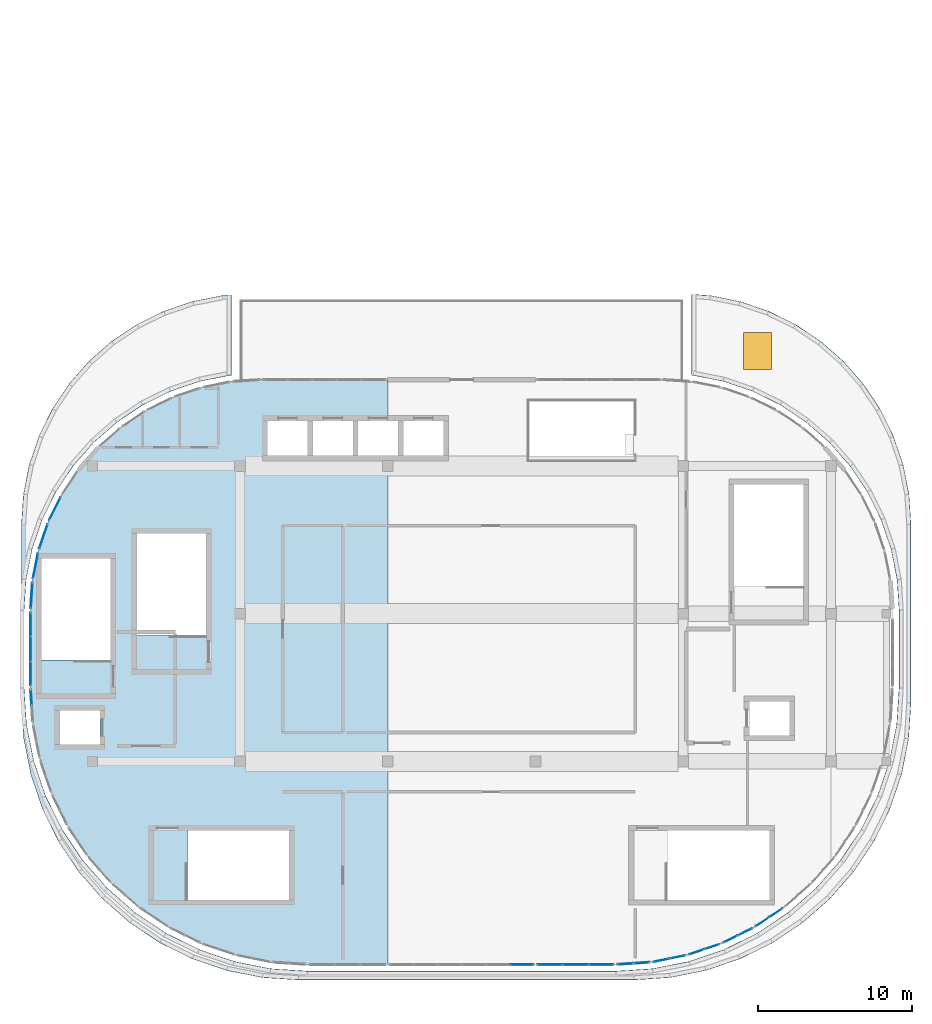
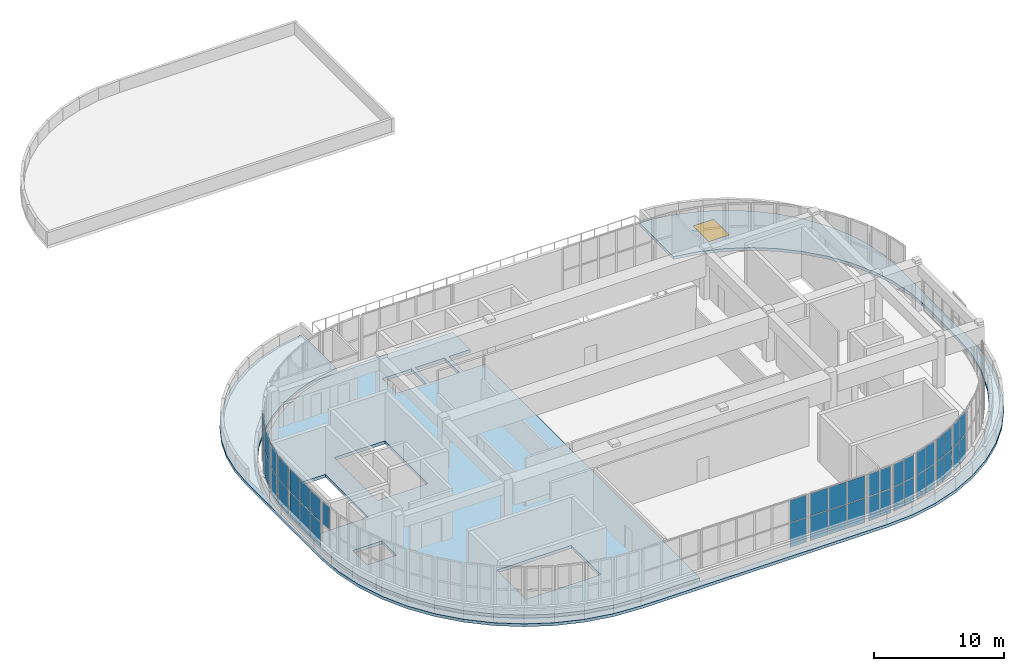
# One storey, part 14 of 23: 43 plates, 2 slabs, 1 window, 1 opening, 13 elements without a shape of their own.
"""IFC4 building model written with IfcOpenShell, lengths in metres."""

import ifcopenshell
import ifcopenshell.guid

model = None  # the IFC model being written
_history = None  # IfcOwnerHistory: only IFC2X3 demands one
_inside = {}  # id of a spatial element -> (the spatial element, [elements in it])
_under = {}  # id of a project, library or spatial element -> (it, [spatial elements below it])
_declared = {}  # id of a project -> (the project, [libraries it declares])
_typed = {}  # id of a type object -> (the type object, [elements of that type])
_made_of = {}  # id of a material, layer set ... -> (it, [elements and type objects made of it])


def new_model(schema):
    """Start an empty IFC model of exactly this schema.

    Asked for "IFC4X3", IfcOpenShell would pick the latest addendum, in which some entities
    have other attributes; the version numbers below select the first issue.
    IFC2X3 requires an IfcOwnerHistory on every rooted entity: one is made here for all.
    """
    global model, _history
    if schema == "IFC4X3":
        model = ifcopenshell.file(schema_version=(4, 3, 0, 0))
    else:
        model = ifcopenshell.file(schema=schema)
    _inside.clear()
    _under.clear()
    _declared.clear()
    _typed.clear()
    _made_of.clear()
    _history = None
    if model.schema == "IFC2X3":
        org = make("IfcOrganization", Name="unknown")
        user = make(
            "IfcPersonAndOrganization",
            ThePerson=make("IfcPerson", FamilyName="unknown"),
            TheOrganization=org,
        )
        app = make(
            "IfcApplication",
            ApplicationDeveloper=org,
            Version="unknown",
            ApplicationFullName="unknown",
            ApplicationIdentifier="unknown",
        )
        _history = make(
            "IfcOwnerHistory",
            OwningUser=user,
            OwningApplication=app,
            ChangeAction="ADDED",
            CreationDate=0,
        )
    return model


def make(cls, **values):
    """One entity of the class cls with the attributes given. An attribute that is None is left unset."""
    return model.create_entity(
        cls, **{name: value for name, value in values.items() if value is not None}
    )


def rooted(cls, **values):
    """An entity with a GlobalId (a new one), such as an element, a storey or a relation."""
    return make(cls, GlobalId=ifcopenshell.guid.new(), OwnerHistory=_history, **values)


def si_unit(unit_type, name, prefix=None):
    """IfcSIUnit, for example si_unit("LENGTHUNIT", "METRE", prefix="MILLI")."""
    return make("IfcSIUnit", UnitType=unit_type, Prefix=prefix, Name=name)


def assignment(units):
    """IfcUnitAssignment: the units of a project."""
    return None if units is None else make("IfcUnitAssignment", Units=units)


def point(xyz):
    """IfcCartesianPoint."""
    return None if xyz is None else make("IfcCartesianPoint", Coordinates=xyz)


def direction(xyz):
    """IfcDirection."""
    return None if xyz is None else make("IfcDirection", DirectionRatios=xyz)


def frame(location, z_axis=None, x_axis=None):
    """IfcAxis2Placement3D, a coordinate frame: its origin and axes. An axis left out is left unset."""
    return make(
        "IfcAxis2Placement3D",
        Location=point(location),
        Axis=direction(z_axis),
        RefDirection=direction(x_axis),
    )


def frame_2d(location, x_axis=None):
    """IfcAxis2Placement2D, a coordinate frame in the plane: its origin and x axis."""
    return make(
        "IfcAxis2Placement2D", Location=point(location), RefDirection=direction(x_axis)
    )


def origin():
    """The frame at (0, 0, 0) with its axes left unset."""
    return frame((0.0, 0.0, 0.0))


def origin_2d():
    """The frame at (0, 0) in the plane with its x axis left unset."""
    return frame_2d((0.0, 0.0))


def place(relative_to, where):
    """IfcLocalPlacement: puts the frame where relative to a parent placement (None: the world)."""
    return make(
        "IfcLocalPlacement", PlacementRelTo=relative_to, RelativePlacement=where
    )


def context(
    kind, dimensions, precision=None, world=None, true_north=None, identifier=None
):
    """IfcGeometricRepresentationContext, for example the 3D "Model" context."""
    return make(
        "IfcGeometricRepresentationContext",
        ContextIdentifier=identifier,
        ContextType=kind,
        CoordinateSpaceDimension=dimensions,
        Precision=precision,
        WorldCoordinateSystem=world,
        TrueNorth=true_north,
    )


def subcontext(parent, identifier, kind, view, scale=None):
    """IfcGeometricRepresentationSubContext, for example "Body" below "Model"."""
    return make(
        "IfcGeometricRepresentationSubContext",
        ContextIdentifier=identifier,
        ContextType=kind,
        ParentContext=parent,
        TargetScale=scale,
        TargetView=view,
    )


def project(units=None, contexts=None):
    """IfcProject with its units and contexts."""
    return rooted(
        "IfcProject",
        Name="project",
        RepresentationContexts=contexts,
        UnitsInContext=assignment(units),
    )


def spatial(cls, under=None, at=None, **own):
    """A site, building, storey or space (cls), placed at a placement, below another one or the project."""
    s = rooted(cls, ObjectPlacement=at, **own)
    if under is not None:
        _under.setdefault(under.id(), (under, []))[1].append(s)
    return s


def polyline(points):
    """IfcPolyline through the points."""
    return make("IfcPolyline", Points=[point(p) for p in points])


def profile(cls, at=None, kind="AREA", **sizes):
    """A parametric profile (cls). Its sizes go by their IFC names, for example OverallWidth=200.0."""
    return make(cls, ProfileType=kind, Position=at, **sizes)


def rectangle(**sizes):
    """IfcRectangleProfileDef."""
    return profile("IfcRectangleProfileDef", **sizes)


def outline(outer, holes=None, kind="AREA"):
    """IfcArbitraryClosedProfileDef: a profile drawn as a closed curve; with holes, ...WithVoids."""
    if holes is None:
        return make("IfcArbitraryClosedProfileDef", ProfileType=kind, OuterCurve=outer)
    return make(
        "IfcArbitraryProfileDefWithVoids",
        ProfileType=kind,
        OuterCurve=outer,
        InnerCurves=holes,
    )


def extrude(swept, where, along, depth):
    """IfcExtrudedAreaSolid: the profile swept, set in the frame where, extruded along a direction by depth."""
    return make(
        "IfcExtrudedAreaSolid",
        SweptArea=swept,
        Position=where,
        ExtrudedDirection=direction(along),
        Depth=depth,
    )


def shape(context_of_items, identifier, shape_type, items):
    """IfcShapeRepresentation: the items that make up one representation, for example the "Body"."""
    return make(
        "IfcShapeRepresentation",
        ContextOfItems=context_of_items,
        RepresentationIdentifier=identifier,
        RepresentationType=shape_type,
        Items=items,
    )


def material(Name=None, Category=None):
    """IfcMaterial."""
    return make("IfcMaterial", Name=Name, Category=Category)


def layer(
    of_material, thickness, ventilated=None, Name=None, Category=None, Priority=None
):
    """IfcMaterialLayer: one layer of a wall or slab, of a material (None: an air gap)."""
    return make(
        "IfcMaterialLayer",
        Material=of_material,
        LayerThickness=thickness,
        IsVentilated=ventilated,
        Name=Name,
        Category=Category,
        Priority=Priority,
    )


def layer_set(layers, Name=None):
    """IfcMaterialLayerSet."""
    return make("IfcMaterialLayerSet", MaterialLayers=layers, LayerSetName=Name)


def made_of(thing, what):
    """Note that an element or type object is made of a material, layer set ...; save() writes the relation."""
    if what is not None:
        _made_of.setdefault(what.id(), (what, []))[1].append(thing)
    return thing


def type_object(cls, material=None, **own):
    """A type object (cls), such as IfcWallType, which elements share."""
    return made_of(rooted(cls, **own), material)


def element(
    cls,
    number,
    at=None,
    inside=None,
    cuts=None,
    type_object=None,
    material=None,
    context=None,
    identifier="Body",
    shape_type=None,
    held_by="IfcProductDefinitionShape",
    body=None,
    shapes=None,
    **own,
):
    """One element of the class cls, such as IfcWall. Its Tag is "e" and its number.

    at: its placement. inside: the storey or other place that contains it. cuts: it is an
    opening in that element (IfcRelVoidsElement). A single representation is given by context,
    identifier, shape_type and body (its items); several are given by shapes. held_by: the class
    of the entity that holds the representations. save() writes the other relations.
    """
    e = rooted(cls, Tag="e%d" % number, ObjectPlacement=at, **own)
    if body is not None:
        shapes = [shape(context, identifier, shape_type, body)]
    if shapes is not None:
        e.Representation = make(held_by, Representations=shapes)
    if inside is not None:
        _inside.setdefault(inside.id(), (inside, []))[1].append(e)
    if cuts is not None:
        rooted(
            "IfcRelVoidsElement", RelatingBuildingElement=cuts, RelatedOpeningElement=e
        )
    if type_object is not None:
        _typed.setdefault(type_object.id(), (type_object, []))[1].append(e)
    return made_of(e, material)


def fill(opening, filler):
    """IfcRelFillsElement: the door or window that sits in an opening."""
    return rooted(
        "IfcRelFillsElement",
        RelatingOpeningElement=opening,
        RelatedBuildingElement=filler,
    )


def aggregate(whole, parts):
    """IfcRelAggregates: a whole, such as a stair, and the parts it consists of."""
    return rooted("IfcRelAggregates", RelatingObject=whole, RelatedObjects=parts)


def save(model, path):
    """Write the relations noted so far, then the file.

    IfcRelAggregates (storeys below a building ...), IfcRelContainedInSpatialStructure (elements
    in a storey), IfcRelDefinesByType, IfcRelAssociatesMaterial and IfcRelDeclares: one each for
    every whole, place, type object, material and project.
    """
    for whole, parts in _under.values():
        aggregate(whole, parts)
    for where, things in _inside.values():
        rooted(
            "IfcRelContainedInSpatialStructure",
            RelatedElements=things,
            RelatingStructure=where,
        )
    for kind, things in _typed.values():
        rooted("IfcRelDefinesByType", RelatedObjects=things, RelatingType=kind)
    for what, things in _made_of.values():
        rooted("IfcRelAssociatesMaterial", RelatedObjects=things, RelatingMaterial=what)
    for by, libraries in _declared.values():
        rooted("IfcRelDeclares", RelatingContext=by, RelatedDefinitions=libraries)
    model.write(path)


model = new_model("IFC4")

# Units and contexts
model_context = context("Model", 3, precision=1e-05, world=origin(), true_north=direction((0.0, 1.0)))
body_context = subcontext(model_context, "Body", "Model", "MODEL_VIEW")
ifc_project = project(units=[si_unit("LENGTHUNIT", "METRE"), si_unit("AREAUNIT", "SQUARE_METRE"), si_unit("VOLUMEUNIT", "CUBIC_METRE"), si_unit("PLANEANGLEUNIT", "RADIAN"), si_unit("MASSUNIT", "GRAM", prefix="KILO")], contexts=[model_context])

# Site, building, storey
site_placement = place(None, origin())
site = spatial("IfcSite", under=ifc_project, at=site_placement, CompositionType="ELEMENT")
building_placement = place(site_placement, origin())
building = spatial("IfcBuilding", under=site, at=building_placement, Name="Cendralis Terraced Arcade", CompositionType="ELEMENT")
storey_placement = place(building_placement, frame((0.0, 0.0, 29.39990234375)))
storey = spatial("IfcBuildingStorey", under=building, at=storey_placement, Name="L06", CompositionType="ELEMENT", Elevation=29.39990234375)

# Curtain wall, plates
ifc_material_1 = material(Name="Anodised aluminium EN AW-6063 T6", Category="aluminium")
ifc_layer_1 = layer(ifc_material_1, 0.179931640625, Name="CW-UNIT-A")
ifc_layer_set_1 = layer_set([ifc_layer_1], Name="Anodised aluminium EN AW-6063 T6")
curtain_wall_type_1 = type_object("IfcCurtainWallType", Name="CW-UNIT-A", PredefinedType="USERDEFINED", material=ifc_layer_set_1)
curtain_wall_1_placement = place(storey_placement, origin())
curtain_wall_1 = element("IfcCurtainWall", 1, at=curtain_wall_1_placement, inside=storey, type_object=curtain_wall_type_1, Name="Exterior Unitised Facade CW-L06-0446", ObjectType="UNITISED FACADE", PredefinedType="USERDEFINED")
ifc_material_2 = material(Name="Tempered solar control laminated glass", Category="glass")
ifc_layer_2 = layer(ifc_material_2, 0.035888671875, Name="CW-UNIT-A-PNL")
ifc_layer_set_2 = layer_set([ifc_layer_2], Name="Tempered solar control laminated glass")
plate_type_1 = type_object("IfcPlateType", Name="CW-UNIT-A-PNL", PredefinedType="CURTAIN_PANEL", material=ifc_layer_set_2)
plate_1_placement = place(storey_placement, frame((5.6640625, 29.97900390625, 0.06494140625), z_axis=(0.0, 0.0, 1.0), x_axis=(0.065371873798, 0.997860971336, 0.0)))
plate_1 = element("IfcPlate", 2, at=plate_1_placement, type_object=plate_type_1, Name="CW-U1 panel 1.1", PredefinedType="CURTAIN_PANEL", context=body_context, shape_type="SweptSolid", body=[
    extrude(rectangle(XDim=1.652099609375, YDim=0.035888671875, at=origin_2d()), origin(), (0.0, 0.0, 1.0), 2.255615234375),
])
plate_2_placement = place(storey_placement, frame((5.6640625, 29.97900390625, 2.3857421875), z_axis=(0.0, 0.0, 1.0), x_axis=(0.065371873798, 0.997860971336, 0.0)))
plate_2 = element("IfcPlate", 3, at=plate_2_placement, type_object=plate_type_1, Name="CW-U1 panel 1.2", PredefinedType="CURTAIN_PANEL", context=body_context, shape_type="SweptSolid", body=[
    extrude(rectangle(XDim=1.652099609375, YDim=0.035888671875, at=origin_2d()), origin(), (0.0, 0.0, 1.0), 2.074462890625),
])
aggregate(curtain_wall_1, [plate_1, plate_2])

curtain_wall_2_placement = place(storey_placement, origin())
curtain_wall_2 = element("IfcCurtainWall", 4, at=curtain_wall_2_placement, inside=storey, type_object=curtain_wall_type_1, Name="Exterior Unitised Facade CW-L06-0447", ObjectType="UNITISED FACADE", PredefinedType="USERDEFINED")
plate_3_placement = place(storey_placement, frame((5.919677734375, 31.920166015625, 0.06494140625), z_axis=(0.0, 0.0, 1.0), x_axis=(0.195058454434, 0.980791618721, 0.0)))
plate_3 = element("IfcPlate", 5, at=plate_3_placement, type_object=plate_type_1, Name="CW-U1 panel 1.1", PredefinedType="CURTAIN_PANEL", context=body_context, shape_type="SweptSolid", body=[
    extrude(rectangle(XDim=1.652099609375, YDim=0.035888671875, at=origin_2d()), origin(), (0.0, 0.0, 1.0), 2.255615234375),
])
plate_4_placement = place(storey_placement, frame((5.919677734375, 31.920166015625, 2.3857421875), z_axis=(0.0, 0.0, 1.0), x_axis=(0.195058454434, 0.980791618721, 0.0)))
plate_4 = element("IfcPlate", 6, at=plate_4_placement, type_object=plate_type_1, Name="CW-U1 panel 1.2", PredefinedType="CURTAIN_PANEL", context=body_context, shape_type="SweptSolid", body=[
    extrude(rectangle(XDim=1.652099609375, YDim=0.035888671875, at=origin_2d()), origin(), (0.0, 0.0, 1.0), 2.074462890625),
])
aggregate(curtain_wall_2, [plate_3, plate_4])

curtain_wall_3_placement = place(storey_placement, origin())
curtain_wall_3 = element("IfcCurtainWall", 7, at=curtain_wall_3_placement, inside=storey, type_object=curtain_wall_type_1, Name="Exterior Unitised Facade CW-L06-0448", ObjectType="UNITISED FACADE", PredefinedType="USERDEFINED")
plate_5_placement = place(storey_placement, frame((6.426513671875, 33.811279296875, 0.06494140625), z_axis=(0.0, 0.0, 1.0), x_axis=(0.321458077458, 0.946923811316, 0.0)))
plate_5 = element("IfcPlate", 8, at=plate_5_placement, type_object=plate_type_1, Name="CW-U1 panel 1.1", PredefinedType="CURTAIN_PANEL", context=body_context, shape_type="SweptSolid", body=[
    extrude(rectangle(XDim=1.652099609375, YDim=0.035888671875, at=origin_2d()), origin(), (0.0, 0.0, 1.0), 2.255615234375),
])
plate_6_placement = place(storey_placement, frame((6.426513671875, 33.811279296875, 2.3857421875), z_axis=(0.0, 0.0, 1.0), x_axis=(0.321458077458, 0.946923811316, 0.0)))
plate_6 = element("IfcPlate", 9, at=plate_6_placement, type_object=plate_type_1, Name="CW-U1 panel 1.2", PredefinedType="CURTAIN_PANEL", context=body_context, shape_type="SweptSolid", body=[
    extrude(rectangle(XDim=1.652099609375, YDim=0.035888671875, at=origin_2d()), origin(), (0.0, 0.0, 1.0), 2.074462890625),
])
aggregate(curtain_wall_3, [plate_5, plate_6])

curtain_wall_4_placement = place(storey_placement, origin())
curtain_wall_4 = element("IfcCurtainWall", 10, at=curtain_wall_4_placement, inside=storey, type_object=curtain_wall_type_1, Name="Exterior Unitised Facade CW-L06-0449", ObjectType="UNITISED FACADE", PredefinedType="USERDEFINED")
plate_7_placement = place(storey_placement, frame((7.17578125, 35.6201171875, 0.06494140625), z_axis=(0.0, 0.0, 1.0), x_axis=(0.442291247495, 0.896871480419, 0.0)))
plate_7 = element("IfcPlate", 11, at=plate_7_placement, type_object=plate_type_1, Name="CW-U1 panel 1.1", PredefinedType="CURTAIN_PANEL", context=body_context, shape_type="SweptSolid", body=[
    extrude(rectangle(XDim=1.652099609375, YDim=0.035888671875, at=origin_2d()), origin(), (0.0, 0.0, 1.0), 2.255615234375),
])
plate_8_placement = place(storey_placement, frame((7.17578125, 35.6201171875, 2.3857421875), z_axis=(0.0, 0.0, 1.0), x_axis=(0.442291247495, 0.896871480419, 0.0)))
plate_8 = element("IfcPlate", 12, at=plate_8_placement, type_object=plate_type_1, Name="CW-U1 panel 1.2", PredefinedType="CURTAIN_PANEL", context=body_context, shape_type="SweptSolid", body=[
    extrude(rectangle(XDim=1.652099609375, YDim=0.035888671875, at=origin_2d()), origin(), (0.0, 0.0, 1.0), 2.074462890625),
])
aggregate(curtain_wall_4, [plate_7, plate_8])

curtain_wall_5_placement = place(storey_placement, origin())
curtain_wall_5 = element("IfcCurtainWall", 13, at=curtain_wall_5_placement, inside=storey, type_object=curtain_wall_type_1, Name="Exterior Unitised Facade CW-L06-0477", ObjectType="UNITISED FACADE", PredefinedType="USERDEFINED")
plate_9_placement = place(storey_placement, frame((54.017333984375, 9.358642578125, 0.06494140625), z_axis=(0.0, 0.0, 1.0), x_axis=(-0.831476791301, -0.555559488738, 0.0)))
plate_9 = element("IfcPlate", 14, at=plate_9_placement, type_object=plate_type_1, Name="CW-U1 panel 1.1", PredefinedType="CURTAIN_PANEL", context=body_context, shape_type="SweptSolid", body=[
    extrude(rectangle(XDim=0.98974609375, YDim=0.035888671875, at=origin_2d()), origin(), (0.0, 0.0, 1.0), 2.255615234375),
])
plate_10_placement = place(storey_placement, frame((54.017333984375, 9.358642578125, 2.3857421875), z_axis=(0.0, 0.0, 1.0), x_axis=(-0.831476791301, -0.555559488738, 0.0)))
plate_10 = element("IfcPlate", 15, at=plate_10_placement, type_object=plate_type_1, Name="CW-U1 panel 1.2", PredefinedType="CURTAIN_PANEL", context=body_context, shape_type="SweptSolid", body=[
    extrude(rectangle(XDim=0.98974609375, YDim=0.035888671875, at=origin_2d()), origin(), (0.0, 0.0, 1.0), 2.074462890625),
])
plate_11_placement = place(storey_placement, frame((53.140380859375, 8.7724609375, 0.06494140625), z_axis=(0.0, 0.0, 1.0), x_axis=(-0.831476791301, -0.555559488738, 0.0)))
plate_11 = element("IfcPlate", 16, at=plate_11_placement, type_object=plate_type_1, Name="CW-U1 panel 2.1", PredefinedType="CURTAIN_PANEL", context=body_context, shape_type="SweptSolid", body=[
    extrude(rectangle(XDim=0.98974609375, YDim=0.035888671875, at=origin_2d()), origin(), (0.0, 0.0, 1.0), 2.255615234375),
])
plate_12_placement = place(storey_placement, frame((53.140380859375, 8.7724609375, 2.3857421875), z_axis=(0.0, 0.0, 1.0), x_axis=(-0.831476791301, -0.555559488738, 0.0)))
plate_12 = element("IfcPlate", 17, at=plate_12_placement, type_object=plate_type_1, Name="CW-U1 panel 2.2", PredefinedType="CURTAIN_PANEL", context=body_context, shape_type="SweptSolid", body=[
    extrude(rectangle(XDim=0.98974609375, YDim=0.035888671875, at=origin_2d()), origin(), (0.0, 0.0, 1.0), 2.074462890625),
])
aggregate(curtain_wall_5, [plate_9, plate_10, plate_11, plate_12])

curtain_wall_6_placement = place(storey_placement, origin())
curtain_wall_6 = element("IfcCurtainWall", 18, at=curtain_wall_6_placement, inside=storey, type_object=curtain_wall_type_1, Name="Exterior Unitised Facade CW-L06-0478", ObjectType="UNITISED FACADE", PredefinedType="USERDEFINED")
plate_13_placement = place(storey_placement, frame((52.01708984375, 8.1240234375, 0.06494140625), z_axis=(0.0, 0.0, 1.0), x_axis=(-0.896887612731, -0.442258533133, 0.0)))
plate_13 = element("IfcPlate", 19, at=plate_13_placement, type_object=plate_type_1, Name="CW-U1 panel 1.1", PredefinedType="CURTAIN_PANEL", context=body_context, shape_type="SweptSolid", body=[
    extrude(rectangle(XDim=0.98974609375, YDim=0.035888671875, at=origin_2d()), origin(), (0.0, 0.0, 1.0), 2.255615234375),
])
plate_14_placement = place(storey_placement, frame((52.01708984375, 8.1240234375, 2.3857421875), z_axis=(0.0, 0.0, 1.0), x_axis=(-0.896887612731, -0.442258533133, 0.0)))
plate_14 = element("IfcPlate", 20, at=plate_14_placement, type_object=plate_type_1, Name="CW-U1 panel 1.2", PredefinedType="CURTAIN_PANEL", context=body_context, shape_type="SweptSolid", body=[
    extrude(rectangle(XDim=0.98974609375, YDim=0.035888671875, at=origin_2d()), origin(), (0.0, 0.0, 1.0), 2.074462890625),
])
plate_15_placement = place(storey_placement, frame((51.071044921875, 7.65771484375, 0.06494140625), z_axis=(0.0, 0.0, 1.0), x_axis=(-0.896887612731, -0.442258533133, 0.0)))
plate_15 = element("IfcPlate", 21, at=plate_15_placement, type_object=plate_type_1, Name="CW-U1 panel 2.1", PredefinedType="CURTAIN_PANEL", context=body_context, shape_type="SweptSolid", body=[
    extrude(rectangle(XDim=0.98974609375, YDim=0.035888671875, at=origin_2d()), origin(), (0.0, 0.0, 1.0), 2.255615234375),
])
plate_16_placement = place(storey_placement, frame((51.071044921875, 7.65771484375, 2.3857421875), z_axis=(0.0, 0.0, 1.0), x_axis=(-0.896887612731, -0.442258533133, 0.0)))
plate_16 = element("IfcPlate", 22, at=plate_16_placement, type_object=plate_type_1, Name="CW-U1 panel 2.2", PredefinedType="CURTAIN_PANEL", context=body_context, shape_type="SweptSolid", body=[
    extrude(rectangle(XDim=0.98974609375, YDim=0.035888671875, at=origin_2d()), origin(), (0.0, 0.0, 1.0), 2.074462890625),
])
aggregate(curtain_wall_6, [plate_13, plate_14, plate_15, plate_16])

curtain_wall_7_placement = place(storey_placement, origin())
curtain_wall_7 = element("IfcCurtainWall", 23, at=curtain_wall_7_placement, inside=storey, type_object=curtain_wall_type_1, Name="Exterior Unitised Facade CW-L06-0479", ObjectType="UNITISED FACADE", PredefinedType="USERDEFINED")
plate_17_placement = place(storey_placement, frame((49.872802734375, 7.161376953125, 0.06494140625), z_axis=(0.0, 0.0, 1.0), x_axis=(-0.946916721066, -0.321478962554, 0.0)))
plate_17 = element("IfcPlate", 24, at=plate_17_placement, type_object=plate_type_1, Name="CW-U1 panel 1.1", PredefinedType="CURTAIN_PANEL", context=body_context, shape_type="SweptSolid", body=[
    extrude(rectangle(XDim=0.98974609375, YDim=0.035888671875, at=origin_2d()), origin(), (0.0, 0.0, 1.0), 2.255615234375),
])
plate_18_placement = place(storey_placement, frame((49.872802734375, 7.161376953125, 2.3857421875), z_axis=(0.0, 0.0, 1.0), x_axis=(-0.946916721066, -0.321478962554, 0.0)))
plate_18 = element("IfcPlate", 25, at=plate_18_placement, type_object=plate_type_1, Name="CW-U1 panel 1.2", PredefinedType="CURTAIN_PANEL", context=body_context, shape_type="SweptSolid", body=[
    extrude(rectangle(XDim=0.98974609375, YDim=0.035888671875, at=origin_2d()), origin(), (0.0, 0.0, 1.0), 2.074462890625),
])
plate_19_placement = place(storey_placement, frame((48.8740234375, 6.822265625, 0.06494140625), z_axis=(0.0, 0.0, 1.0), x_axis=(-0.946916721066, -0.321478962554, 0.0)))
plate_19 = element("IfcPlate", 26, at=plate_19_placement, type_object=plate_type_1, Name="CW-U1 panel 2.1", PredefinedType="CURTAIN_PANEL", context=body_context, shape_type="SweptSolid", body=[
    extrude(rectangle(XDim=0.98974609375, YDim=0.035888671875, at=origin_2d()), origin(), (0.0, 0.0, 1.0), 2.255615234375),
])
plate_20_placement = place(storey_placement, frame((48.8740234375, 6.822265625, 2.3857421875), z_axis=(0.0, 0.0, 1.0), x_axis=(-0.946916721066, -0.321478962554, 0.0)))
plate_20 = element("IfcPlate", 27, at=plate_20_placement, type_object=plate_type_1, Name="CW-U1 panel 2.2", PredefinedType="CURTAIN_PANEL", context=body_context, shape_type="SweptSolid", body=[
    extrude(rectangle(XDim=0.98974609375, YDim=0.035888671875, at=origin_2d()), origin(), (0.0, 0.0, 1.0), 2.074462890625),
])
aggregate(curtain_wall_7, [plate_17, plate_18, plate_19, plate_20])

curtain_wall_8_placement = place(storey_placement, origin())
curtain_wall_8 = element("IfcCurtainWall", 28, at=curtain_wall_8_placement, inside=storey, type_object=curtain_wall_type_1, Name="Exterior Unitised Facade CW-L06-0480", ObjectType="UNITISED FACADE", PredefinedType="USERDEFINED")
plate_21_placement = place(storey_placement, frame((47.621337890625, 6.486572265625, 0.06494140625), z_axis=(0.0, 0.0, 1.0), x_axis=(-0.980794124594, -0.195045853998, 0.0)))
plate_21 = element("IfcPlate", 29, at=plate_21_placement, type_object=plate_type_1, Name="CW-U1 panel 1.1", PredefinedType="CURTAIN_PANEL", context=body_context, shape_type="SweptSolid", body=[
    extrude(rectangle(XDim=0.98974609375, YDim=0.035888671875, at=origin_2d()), origin(), (0.0, 0.0, 1.0), 2.255615234375),
])
plate_22_placement = place(storey_placement, frame((47.621337890625, 6.486572265625, 2.3857421875), z_axis=(0.0, 0.0, 1.0), x_axis=(-0.980794124594, -0.195045853998, 0.0)))
plate_22 = element("IfcPlate", 30, at=plate_22_placement, type_object=plate_type_1, Name="CW-U1 panel 1.2", PredefinedType="CURTAIN_PANEL", context=body_context, shape_type="SweptSolid", body=[
    extrude(rectangle(XDim=0.98974609375, YDim=0.035888671875, at=origin_2d()), origin(), (0.0, 0.0, 1.0), 2.074462890625),
])
plate_23_placement = place(storey_placement, frame((46.5869140625, 6.28076171875, 0.06494140625), z_axis=(0.0, 0.0, 1.0), x_axis=(-0.980794124594, -0.195045853998, 0.0)))
plate_23 = element("IfcPlate", 31, at=plate_23_placement, type_object=plate_type_1, Name="CW-U1 panel 2.1", PredefinedType="CURTAIN_PANEL", context=body_context, shape_type="SweptSolid", body=[
    extrude(rectangle(XDim=0.98974609375, YDim=0.035888671875, at=origin_2d()), origin(), (0.0, 0.0, 1.0), 2.255615234375),
])
plate_24_placement = place(storey_placement, frame((46.5869140625, 6.28076171875, 2.3857421875), z_axis=(0.0, 0.0, 1.0), x_axis=(-0.980794124594, -0.195045853998, 0.0)))
plate_24 = element("IfcPlate", 32, at=plate_24_placement, type_object=plate_type_1, Name="CW-U1 panel 2.2", PredefinedType="CURTAIN_PANEL", context=body_context, shape_type="SweptSolid", body=[
    extrude(rectangle(XDim=0.98974609375, YDim=0.035888671875, at=origin_2d()), origin(), (0.0, 0.0, 1.0), 2.074462890625),
])
aggregate(curtain_wall_8, [plate_21, plate_22, plate_23, plate_24])

curtain_wall_9_placement = place(storey_placement, origin())
curtain_wall_9 = element("IfcCurtainWall", 33, at=curtain_wall_9_placement, inside=storey, type_object=curtain_wall_type_1, Name="Exterior Unitised Facade CW-L06-0481", ObjectType="UNITISED FACADE", PredefinedType="USERDEFINED")
plate_25_placement = place(storey_placement, frame((45.301025390625, 6.111572265625, 0.06494140625), z_axis=(0.0, 0.0, 1.0), x_axis=(-0.99785960626, -0.065392707503, 0.0)))
plate_25 = element("IfcPlate", 34, at=plate_25_placement, type_object=plate_type_1, Name="CW-U1 panel 1.1", PredefinedType="CURTAIN_PANEL", context=body_context, shape_type="SweptSolid", body=[
    extrude(rectangle(XDim=0.98974609375, YDim=0.035888671875, at=origin_2d()), origin(), (0.0, 0.0, 1.0), 2.255615234375),
])
plate_26_placement = place(storey_placement, frame((45.301025390625, 6.111572265625, 2.3857421875), z_axis=(0.0, 0.0, 1.0), x_axis=(-0.99785960626, -0.065392707503, 0.0)))
plate_26 = element("IfcPlate", 35, at=plate_26_placement, type_object=plate_type_1, Name="CW-U1 panel 1.2", PredefinedType="CURTAIN_PANEL", context=body_context, shape_type="SweptSolid", body=[
    extrude(rectangle(XDim=0.98974609375, YDim=0.035888671875, at=origin_2d()), origin(), (0.0, 0.0, 1.0), 2.074462890625),
])
plate_27_placement = place(storey_placement, frame((44.24853515625, 6.04248046875, 0.06494140625), z_axis=(0.0, 0.0, 1.0), x_axis=(-0.99785960626, -0.065392707503, 0.0)))
plate_27 = element("IfcPlate", 36, at=plate_27_placement, type_object=plate_type_1, Name="CW-U1 panel 2.1", PredefinedType="CURTAIN_PANEL", context=body_context, shape_type="SweptSolid", body=[
    extrude(rectangle(XDim=0.98974609375, YDim=0.035888671875, at=origin_2d()), origin(), (0.0, 0.0, 1.0), 2.255615234375),
])
plate_28_placement = place(storey_placement, frame((44.24853515625, 6.04248046875, 2.3857421875), z_axis=(0.0, 0.0, 1.0), x_axis=(-0.99785960626, -0.065392707503, 0.0)))
plate_28 = element("IfcPlate", 37, at=plate_28_placement, type_object=plate_type_1, Name="CW-U1 panel 2.2", PredefinedType="CURTAIN_PANEL", context=body_context, shape_type="SweptSolid", body=[
    extrude(rectangle(XDim=0.98974609375, YDim=0.035888671875, at=origin_2d()), origin(), (0.0, 0.0, 1.0), 2.074462890625),
])
aggregate(curtain_wall_9, [plate_25, plate_26, plate_27, plate_28])

# Curtain wall, plate
curtain_wall_10_placement = place(storey_placement, origin())
curtain_wall_10 = element("IfcCurtainWall", 38, at=curtain_wall_10_placement, inside=storey, type_object=curtain_wall_type_1, Name="Exterior Unitised Facade CW-L06-0496", ObjectType="UNITISED FACADE", PredefinedType="USERDEFINED")
plate_29_placement = place(storey_placement, frame((5.642578125, 23.3515625, 2.3857421875), z_axis=(0.0, 0.0, 1.0), x_axis=(-0.065392707503, 0.99785960626, 0.0)))
plate_29 = element("IfcPlate", 39, at=plate_29_placement, type_object=plate_type_1, Name="CW-U1 panel 2.2", PredefinedType="CURTAIN_PANEL", context=body_context, shape_type="SweptSolid", body=[
    extrude(rectangle(XDim=0.98974609375, YDim=0.035888671875, at=origin_2d()), origin(), (0.0, 0.0, 1.0), 2.074462890625),
])
aggregate(curtain_wall_10, [plate_29])

# Curtain wall, plates
ifc_layer_3 = layer(ifc_material_1, 0.159912109375, Name="CW-UNIT-B")
ifc_layer_set_3 = layer_set([ifc_layer_3], Name="Anodised aluminium EN AW-6063 T6")
curtain_wall_type_2 = type_object("IfcCurtainWallType", Name="CW-UNIT-B", PredefinedType="USERDEFINED", material=ifc_layer_set_3)
curtain_wall_11_placement = place(storey_placement, origin())
curtain_wall_11 = element("IfcCurtainWall", 40, at=curtain_wall_11_placement, inside=storey, type_object=curtain_wall_type_2, Name="Exterior Unitised Facade CW-L06-0445", ObjectType="UNITISED FACADE", PredefinedType="USERDEFINED")
ifc_layer_4 = layer(ifc_material_2, 0.031982421875, Name="CW-UNIT-B-PNL")
ifc_layer_set_4 = layer_set([ifc_layer_4], Name="Tempered solar control laminated glass")
plate_type_2 = type_object("IfcPlateType", Name="CW-UNIT-B-PNL", PredefinedType="CURTAIN_PANEL", material=ifc_layer_set_4)
plate_30_placement = place(storey_placement, frame((5.60009765625, 24.90966796875, 0.06005859375), z_axis=(0.0, 0.0, 1.0), x_axis=(0.0, 1.0, 0.0)))
plate_30 = element("IfcPlate", 41, at=plate_30_placement, type_object=plate_type_2, Name="CW-U2 panel 1.1", PredefinedType="CURTAIN_PANEL", context=body_context, shape_type="SweptSolid", body=[
    extrude(rectangle(XDim=1.50927734375, YDim=0.031982421875, at=origin_2d()), origin(), (0.0, 0.0, 1.0), 2.262939453125),
])
plate_31_placement = place(storey_placement, frame((5.60009765625, 24.90966796875, 2.383056640625), z_axis=(0.0, 0.0, 1.0), x_axis=(0.0, 1.0, 0.0)))
plate_31 = element("IfcPlate", 42, at=plate_31_placement, type_object=plate_type_2, Name="CW-U2 panel 1.2", PredefinedType="CURTAIN_PANEL", context=body_context, shape_type="SweptSolid", body=[
    extrude(rectangle(XDim=1.50927734375, YDim=0.031982421875, at=origin_2d()), origin(), (0.0, 0.0, 1.0), 2.08203125),
])
plate_32_placement = place(storey_placement, frame((5.60009765625, 26.5, 0.06005859375), z_axis=(0.0, 0.0, 1.0), x_axis=(0.0, 1.0, 0.0)))
plate_32 = element("IfcPlate", 43, at=plate_32_placement, type_object=plate_type_2, Name="CW-U2 panel 2.1", PredefinedType="CURTAIN_PANEL", context=body_context, shape_type="SweptSolid", body=[
    extrude(rectangle(XDim=1.541748046875, YDim=0.031982421875, at=origin_2d()), origin(), (0.0, 0.0, 1.0), 2.262939453125),
])
plate_33_placement = place(storey_placement, frame((5.60009765625, 26.5, 2.383056640625), z_axis=(0.0, 0.0, 1.0), x_axis=(0.0, 1.0, 0.0)))
plate_33 = element("IfcPlate", 44, at=plate_33_placement, type_object=plate_type_2, Name="CW-U2 panel 2.2", PredefinedType="CURTAIN_PANEL", context=body_context, shape_type="SweptSolid", body=[
    extrude(rectangle(XDim=1.541748046875, YDim=0.031982421875, at=origin_2d()), origin(), (0.0, 0.0, 1.0), 2.08203125),
])
plate_34_placement = place(storey_placement, frame((5.60009765625, 28.09033203125, 0.06005859375), z_axis=(0.0, 0.0, 1.0), x_axis=(0.0, 1.0, 0.0)))
plate_34 = element("IfcPlate", 45, at=plate_34_placement, type_object=plate_type_2, Name="CW-U2 panel 3.1", PredefinedType="CURTAIN_PANEL", context=body_context, shape_type="SweptSolid", body=[
    extrude(rectangle(XDim=1.50927734375, YDim=0.031982421875, at=origin_2d()), origin(), (0.0, 0.0, 1.0), 2.262939453125),
])
plate_35_placement = place(storey_placement, frame((5.60009765625, 28.09033203125, 2.383056640625), z_axis=(0.0, 0.0, 1.0), x_axis=(0.0, 1.0, 0.0)))
plate_35 = element("IfcPlate", 46, at=plate_35_placement, type_object=plate_type_2, Name="CW-U2 panel 3.2", PredefinedType="CURTAIN_PANEL", context=body_context, shape_type="SweptSolid", body=[
    extrude(rectangle(XDim=1.50927734375, YDim=0.031982421875, at=origin_2d()), origin(), (0.0, 0.0, 1.0), 2.08203125),
])
aggregate(curtain_wall_11, [plate_30, plate_31, plate_32, plate_33, plate_34, plate_35])

curtain_wall_12_placement = place(storey_placement, origin())
curtain_wall_12 = element("IfcCurtainWall", 47, at=curtain_wall_12_placement, inside=storey, type_object=curtain_wall_type_2, Name="Exterior Unitised Facade CW-L06-0482", ObjectType="UNITISED FACADE", PredefinedType="USERDEFINED")
plate_36_placement = place(storey_placement, frame((42.656982421875, 6.0, 0.06005859375), z_axis=(0.0, 0.0, 1.0), x_axis=(-1.0, 0.0, 0.0)))
plate_36 = element("IfcPlate", 48, at=plate_36_placement, type_object=plate_type_2, Name="CW-U2 panel 1.1", PredefinedType="CURTAIN_PANEL", context=body_context, shape_type="SweptSolid", body=[
    extrude(rectangle(XDim=1.575927734375, YDim=0.031982421875, at=origin_2d()), origin(), (0.0, 0.0, 1.0), 2.262939453125),
])
plate_37_placement = place(storey_placement, frame((42.656982421875, 6.0, 2.383056640625), z_axis=(0.0, 0.0, 1.0), x_axis=(-1.0, 0.0, 0.0)))
plate_37 = element("IfcPlate", 49, at=plate_37_placement, type_object=plate_type_2, Name="CW-U2 panel 1.2", PredefinedType="CURTAIN_PANEL", context=body_context, shape_type="SweptSolid", body=[
    extrude(rectangle(XDim=1.575927734375, YDim=0.031982421875, at=origin_2d()), origin(), (0.0, 0.0, 1.0), 2.08203125),
])
plate_38_placement = place(storey_placement, frame((41.0, 6.0, 0.06005859375), z_axis=(0.0, 0.0, 1.0), x_axis=(-1.0, 0.0, 0.0)))
plate_38 = element("IfcPlate", 50, at=plate_38_placement, type_object=plate_type_2, Name="CW-U2 panel 2.1", PredefinedType="CURTAIN_PANEL", context=body_context, shape_type="SweptSolid", body=[
    extrude(rectangle(XDim=1.6083984375, YDim=0.031982421875, at=origin_2d()), origin(), (0.0, 0.0, 1.0), 2.262939453125),
])
plate_39_placement = place(storey_placement, frame((41.0, 6.0, 2.383056640625), z_axis=(0.0, 0.0, 1.0), x_axis=(-1.0, 0.0, 0.0)))
plate_39 = element("IfcPlate", 51, at=plate_39_placement, type_object=plate_type_2, Name="CW-U2 panel 2.2", PredefinedType="CURTAIN_PANEL", context=body_context, shape_type="SweptSolid", body=[
    extrude(rectangle(XDim=1.6083984375, YDim=0.031982421875, at=origin_2d()), origin(), (0.0, 0.0, 1.0), 2.08203125),
])
plate_40_placement = place(storey_placement, frame((39.343017578125, 6.0, 0.06005859375), z_axis=(0.0, 0.0, 1.0), x_axis=(-1.0, 0.0, 0.0)))
plate_40 = element("IfcPlate", 52, at=plate_40_placement, type_object=plate_type_2, Name="CW-U2 panel 3.1", PredefinedType="CURTAIN_PANEL", context=body_context, shape_type="SweptSolid", body=[
    extrude(rectangle(XDim=1.575927734375, YDim=0.031982421875, at=origin_2d()), origin(), (0.0, 0.0, 1.0), 2.262939453125),
])
plate_41_placement = place(storey_placement, frame((39.343017578125, 6.0, 2.383056640625), z_axis=(0.0, 0.0, 1.0), x_axis=(-1.0, 0.0, 0.0)))
plate_41 = element("IfcPlate", 53, at=plate_41_placement, type_object=plate_type_2, Name="CW-U2 panel 3.2", PredefinedType="CURTAIN_PANEL", context=body_context, shape_type="SweptSolid", body=[
    extrude(rectangle(XDim=1.575927734375, YDim=0.031982421875, at=origin_2d()), origin(), (0.0, 0.0, 1.0), 2.08203125),
])
aggregate(curtain_wall_12, [plate_36, plate_37, plate_38, plate_39, plate_40, plate_41])

curtain_wall_13_placement = place(storey_placement, origin())
curtain_wall_13 = element("IfcCurtainWall", 54, at=curtain_wall_13_placement, inside=storey, type_object=curtain_wall_type_2, Name="Exterior Unitised Facade CW-L06-0483", ObjectType="UNITISED FACADE", PredefinedType="USERDEFINED")
plate_42_placement = place(storey_placement, frame((37.5087890625, 6.0, 0.06005859375), z_axis=(0.0, 0.0, 1.0), x_axis=(-1.0, 0.0, 0.0)))
plate_42 = element("IfcPlate", 55, at=plate_42_placement, type_object=plate_type_2, Name="CW-U2 panel 1.1", PredefinedType="CURTAIN_PANEL", context=body_context, shape_type="SweptSolid", body=[
    extrude(rectangle(XDim=1.472412109375, YDim=0.031982421875, at=origin_2d()), origin(), (0.0, 0.0, 1.0), 2.262939453125),
])
plate_43_placement = place(storey_placement, frame((37.5087890625, 6.0, 2.383056640625), z_axis=(0.0, 0.0, 1.0), x_axis=(-1.0, 0.0, 0.0)))
plate_43 = element("IfcPlate", 56, at=plate_43_placement, type_object=plate_type_2, Name="CW-U2 panel 1.2", PredefinedType="CURTAIN_PANEL", context=body_context, shape_type="SweptSolid", body=[
    extrude(rectangle(XDim=1.472412109375, YDim=0.031982421875, at=origin_2d()), origin(), (0.0, 0.0, 1.0), 2.08203125),
])
aggregate(curtain_wall_13, [plate_42, plate_43])

# Slab
ifc_material_3 = material(Name="Concrete f'c 35 MPa", Category="concrete")
ifc_layer_5 = layer(ifc_material_3, 0.2900390625, Name="SLB-L06-290")
ifc_layer_set_5 = layer_set([ifc_layer_5], Name="Concrete f'c 35 MPa")
slab_type_1 = type_object("IfcSlabType", Name="SLB-L06-290", PredefinedType="FLOOR", material=ifc_layer_set_5)
slab_1_placement = place(storey_placement, frame((0.0, 0.0, -0.289794921875)))
element("IfcSlab", 57, at=slab_1_placement, inside=storey, type_object=slab_type_1, Name="Reinforced Concrete Floor Slab SLB-L06-V1-W1-1", PredefinedType="FLOOR", context=body_context, shape_type="SweptSolid", body=[
    extrude(outline(polyline([(5.728271484375, 30.9580078125), (6.111083984375, 32.88232421875), (6.74169921875, 34.740234375), (7.609619140625, 36.5), (8.69970703125, 38.13134765625), (9.993408203125, 39.606689453125), (11.468505859375, 40.900390625), (13.10009765625, 41.990478515625), (14.859619140625, 42.858154296875), (16.7177734375, 43.489013671875), (18.64208984375, 43.87158203125), (20.60009765625, 44.0), (28.800048828125, 44.0), (28.800048828125, 41.324951171875), (26.8798828125, 41.324951171875), (26.8798828125, 39.074951171875), (28.800048828125, 39.074951171875), (28.800048828125, 6.0), (23.60009765625, 6.0), (21.25048828125, 6.154052734375), (18.94140625, 6.61328125), (16.711669921875, 7.3701171875), (14.60009765625, 8.41162109375), (12.642333984375, 9.719482421875), (10.8720703125, 11.272216796875), (9.319580078125, 13.042236328125), (8.011474609375, 15.0), (6.97021484375, 17.11181640625), (6.21337890625, 19.34130859375), (5.75390625, 21.650390625), (5.60009765625, 24.0), (5.60009765625, 29.0), (5.728271484375, 30.9580078125)]), holes=[polyline([(15.780029296875, 14.699951171875), (15.780029296875, 10.199951171875), (22.39990234375, 10.199951171875), (22.39990234375, 14.699951171875), (15.780029296875, 14.699951171875)]), polyline([(10.10009765625, 22.5), (7.5, 22.5), (7.5, 20.300048828125), (10.10009765625, 20.300048828125), (10.10009765625, 22.5)]), polyline([(10.800048828125, 32.39990234375), (6.300048828125, 32.39990234375), (6.300048828125, 25.780029296875), (10.800048828125, 25.780029296875), (10.800048828125, 32.39990234375)]), polyline([(12.5, 34.0), (12.5, 27.3798828125), (17.0, 27.3798828125), (17.0, 34.0), (12.5, 34.0)]), polyline([(23.60009765625, 41.324951171875), (21.0, 41.324951171875), (21.0, 39.074951171875), (23.60009765625, 39.074951171875), (23.60009765625, 41.324951171875)]), polyline([(26.5400390625, 41.324951171875), (23.93994140625, 41.324951171875), (23.93994140625, 39.074951171875), (26.5400390625, 39.074951171875), (26.5400390625, 41.324951171875)])]), origin(), (0.0, 0.0, 1.0), 0.289794921875),
])

# Slab, opening, window
ifc_layer_6 = layer(ifc_material_3, 0.27490234375, Name="SLB-ROOF-275")
ifc_layer_set_6 = layer_set([ifc_layer_6], Name="Concrete f'c 35 MPa")
slab_type_2 = type_object("IfcSlabType", Name="SLB-ROOF-275", PredefinedType="ROOF", material=ifc_layer_set_6)
slab_2_placement = place(storey_placement, frame((0.0, 0.0, -0.27490234375)))
slab_2 = element("IfcSlab", 58, at=slab_2_placement, inside=storey, type_object=slab_type_2, Name="Insulated Flat Concrete Roof Slab ROOF-FLAT-L06-1", PredefinedType="ROOF", context=body_context, shape_type="SweptSolid", body=[
    extrude(outline(polyline([(5.510986328125, 38.482421875), (6.141845703125, 40.34033203125), (7.009521484375, 42.10009765625), (8.099609375, 43.7314453125), (9.393310546875, 45.20654296875), (10.86865234375, 46.500244140625), (12.5, 47.59033203125), (14.259765625, 48.458251953125), (16.11767578125, 49.0888671875), (18.0419921875, 49.4716796875), (18.64990234375, 49.511474609375), (18.64990234375, 44.293212890625), (16.60888671875, 43.8955078125), (14.698486328125, 43.2470703125), (12.889404296875, 42.35498046875), (11.21240234375, 41.234130859375), (9.69580078125, 39.904296875), (8.36572265625, 38.3876953125), (7.2451171875, 36.71044921875), (6.352783203125, 34.9013671875), (5.70458984375, 32.9912109375), (5.31103515625, 31.0126953125), (5.179931640625, 29.013671875), (5.179931640625, 23.986328125), (5.336669921875, 21.595703125), (5.806640625, 19.232421875), (6.581298828125, 16.95068359375), (7.64697265625, 14.78955078125), (8.985595703125, 12.7861328125), (10.574462890625, 10.974609375), (12.385986328125, 9.3857421875), (14.3896484375, 8.047119140625), (16.550537109375, 6.981201171875), (18.83251953125, 6.206787109375), (21.195556640625, 5.73681640625), (23.586181640625, 5.580078125), (43.61376953125, 5.580078125), (46.00439453125, 5.73681640625), (48.36767578125, 6.206787109375), (50.6494140625, 6.981201171875), (52.810302734375, 8.047119140625), (54.81396484375, 9.3857421875), (56.62548828125, 10.974609375), (58.21435546875, 12.7861328125), (59.552978515625, 14.78955078125), (60.61865234375, 16.95068359375), (61.393310546875, 19.232421875), (61.86328125, 21.595703125), (62.02001953125, 23.986328125), (62.02001953125, 29.013671875), (61.888916015625, 31.0126953125), (61.49560546875, 32.9912109375), (60.84716796875, 34.9013671875), (59.954833984375, 36.71044921875), (58.834228515625, 38.3876953125), (57.504150390625, 39.904296875), (55.987548828125, 41.234130859375), (54.310546875, 42.35498046875), (52.50146484375, 43.2470703125), (50.59130859375, 43.8955078125), (48.550048828125, 44.293212890625), (48.550048828125, 49.55078125), (49.7578125, 49.4716796875), (51.682373046875, 49.0888671875), (53.540283203125, 48.458251953125), (55.300048828125, 47.59033203125), (56.931396484375, 46.500244140625), (58.406494140625, 45.20654296875), (59.7001953125, 43.7314453125), (60.790283203125, 42.10009765625), (61.658203125, 40.34033203125), (62.288818359375, 38.482421875), (62.671630859375, 36.557861328125), (62.800048828125, 34.60009765625), (62.800048828125, 23.0), (62.64599609375, 20.650390625), (62.186767578125, 18.34130859375), (61.4296875, 16.11181640625), (60.388427734375, 14.0), (59.080322265625, 12.042236328125), (57.52783203125, 10.272216796875), (55.7578125, 8.719482421875), (53.800048828125, 7.41162109375), (51.688232421875, 6.3701171875), (49.458740234375, 5.61328125), (47.1494140625, 5.154052734375), (44.800048828125, 5.0), (23.0, 5.0), (20.650390625, 5.154052734375), (18.34130859375, 5.61328125), (16.11181640625, 6.3701171875), (14.0, 7.41162109375), (12.042236328125, 8.719482421875), (10.272216796875, 10.272216796875), (8.719482421875, 12.042236328125), (7.41162109375, 14.0), (6.3701171875, 16.11181640625), (5.61328125, 18.34130859375), (5.154052734375, 20.650390625), (5.0, 23.0), (5.0, 34.60009765625), (5.12841796875, 36.557861328125), (5.510986328125, 38.482421875)])), origin(), (0.0, 0.0, 1.0), 0.27490234375),
])
opening_placement = place(slab_2_placement, frame((52.822021484375, 45.87890625, 0.0)))
opening = element("IfcOpeningElement", 59, at=opening_placement, cuts=slab_2, Name="Opening SK-03", PredefinedType="OPENING", context=body_context, shape_type="SweptSolid", body=[
    extrude(rectangle(XDim=1.800048828125, YDim=2.39990234375, at=origin_2d()), frame((0.0, 0.0, -0.011962890625)), (0.0, 0.0, 1.0), 0.298828125),
])
window_type = type_object("IfcWindowType", Name="SKY-1800x2400", PartitioningType="SINGLE_PANEL", PredefinedType="SKYLIGHT", material=ifc_material_2)
window_placement = place(opening_placement, frame((0.0, 0.0, 0.224853515625)))
window = element("IfcWindow", 60, at=window_placement, inside=storey, type_object=window_type, Name="Insulated Laminated Glass Roof Skylight SKY-L06-07", OverallHeight=2.39990234375, OverallWidth=1.800048828125, PartitioningType="SINGLE_PANEL", PredefinedType="SKYLIGHT", context=body_context, shape_type="SweptSolid", body=[
    extrude(rectangle(XDim=1.800048828125, YDim=2.39990234375, at=origin_2d()), origin(), (0.0, 0.0, 1.0), 0.050048828125),
])
fill(opening, window)

save(model, "model.ifc")
